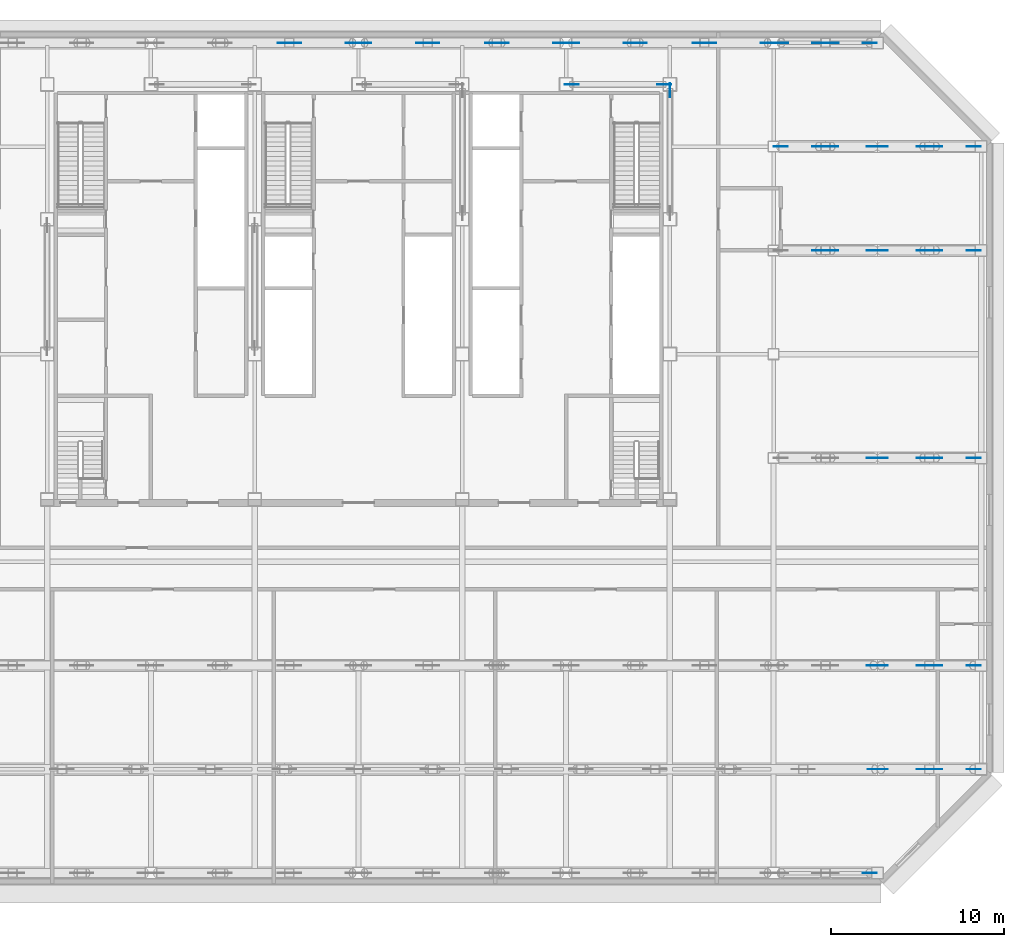
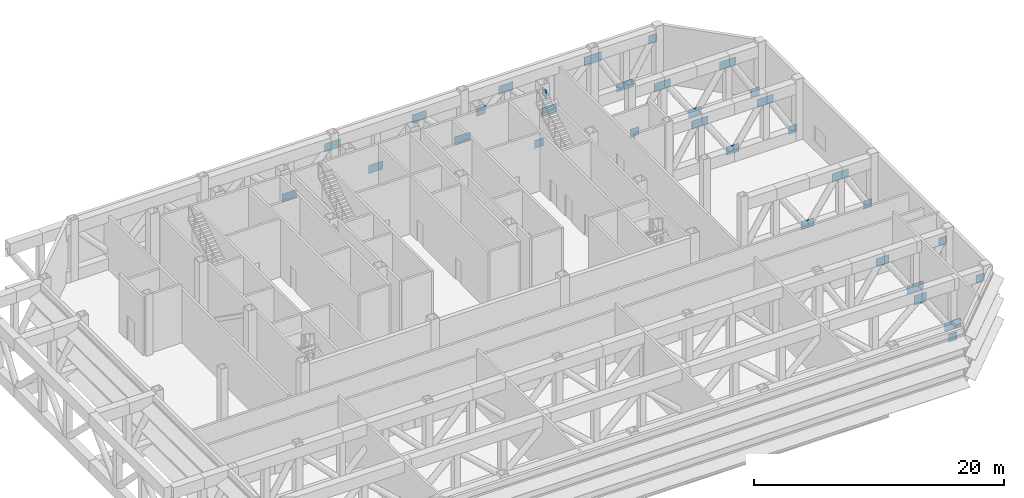
# One storey, part 14 of 17: 32 discrete accessories.
"""IFC4 building model written with IfcOpenShell, lengths in metres."""

from ifc_helpers import new_model, si_unit, direction, frame, origin, origin_2d, place, context, subcontext, project, spatial, rectangle, extrude, material, layer, layer_set, type_object, element, save


model = new_model("IFC4")

# Units and contexts
model_context = context("Model", 3, precision=1e-05, world=origin(), true_north=direction((0.0, 1.0)))
body_context = subcontext(model_context, "Body", "Model", "MODEL_VIEW")
ifc_project = project(units=[si_unit("LENGTHUNIT", "METRE"), si_unit("AREAUNIT", "SQUARE_METRE"), si_unit("VOLUMEUNIT", "CUBIC_METRE"), si_unit("PLANEANGLEUNIT", "RADIAN"), si_unit("MASSUNIT", "GRAM", prefix="KILO")], contexts=[model_context])

# Site, building, storey
site_placement = place(None, origin())
site = spatial("IfcSite", under=ifc_project, at=site_placement, CompositionType="ELEMENT")
building_placement = place(site_placement, origin())
building = spatial("IfcBuilding", under=site, at=building_placement, Name="Sorahane Residences", CompositionType="ELEMENT")
storey_placement = place(building_placement, frame((0.0, 0.0, 186.0)))
storey = spatial("IfcBuildingStorey", under=building, at=storey_placement, Name="L43", CompositionType="ELEMENT", Elevation=186.0)

# Discrete accessories
ifc_material_1 = material(Name="Steel Q355B", Category="steel")
ifc_layer_1 = layer(ifc_material_1, 0.02490234375)
ifc_layer_set_1 = layer_set([ifc_layer_1], Name="Node plate Steel Q355B 25")
discrete_accessory_type_1 = type_object("IfcDiscreteAccessoryType", Name="Node plate Steel Q355B 25", PredefinedType="BRACKET", material=ifc_layer_set_1)
for number, where, z_axis, x_axis, name in (
    (1, (42.0, 45.26025390625, 4.71728515625), (0.0, 0.0, 1.0), (0.0, 1.0, 0.0), "Node plate L43 br"),
    (2, (41.672119140625, 45.60009765625, -0.29296875), (0.0, 0.0, 1.0), (1.0, 0.0, 0.0), "Node plate L43 br"),
    (3, (36.327880859375, 45.60009765625, 4.74267578125), (0.0, 0.0, 1.0), (1.0, 0.0, 0.0), "Node plate L43 br"),
):
    element("IfcDiscreteAccessory", number, at=place(storey_placement, frame(where, z_axis=z_axis, x_axis=x_axis)), inside=storey, type_object=discrete_accessory_type_1, Name=name, PredefinedType="BRACKET", context=body_context, shape_type="SweptSolid", body=[
        extrude(rectangle(XDim=0.800048828125, YDim=0.02490234375, at=origin_2d()), origin(), (0.0, 0.0, 1.0), 0.800048828125),
    ])
ifc_material_2 = material(Name="Steel Q420GJ", Category="steel")
ifc_layer_2 = layer(ifc_material_2, 0.02490234375)
ifc_layer_set_2 = layer_set([ifc_layer_2], Name="Node plate Steel Q420GJ 25")
discrete_accessory_type_2 = type_object("IfcDiscreteAccessoryType", Name="Node plate Steel Q420GJ 25", PredefinedType="BRACKET", material=ifc_layer_set_2)
discrete_accessory_1_placement = place(storey_placement, frame((53.561767578125, 0.0, 4.27734375), z_axis=(0.0, 0.0, 1.0), x_axis=(1.0, 0.0, 0.0)))
element("IfcDiscreteAccessory", 4, at=discrete_accessory_1_placement, inside=storey, type_object=discrete_accessory_type_2, Name="Node plate L43 tr", PredefinedType="BRACKET", context=body_context, shape_type="SweptSolid", body=[
    extrude(rectangle(XDim=0.800048828125, YDim=0.02490234375, at=origin_2d()), origin(), (0.0, 0.0, 1.0), 0.800048828125),
])
discrete_accessory_2_placement = place(storey_placement, frame((57.015380859375, 6.0, 0.61865234375), z_axis=(0.0, 0.0, 1.0), x_axis=(1.0, 0.0, 0.0)))
element("IfcDiscreteAccessory", 5, at=discrete_accessory_2_placement, inside=storey, type_object=discrete_accessory_type_2, Name="Node plate L43 tr", PredefinedType="BRACKET", context=body_context, shape_type="SweptSolid", body=[
    extrude(rectangle(XDim=1.49560546875, YDim=0.02490234375, at=origin_2d()), origin(), (0.0, 0.0, 1.0), 0.80419921875),
])
discrete_accessory_3_placement = place(storey_placement, frame((54.02880859375, 6.0, 4.15966796875), z_axis=(0.0, 0.0, 1.0), x_axis=(1.0, 0.0, 0.0)))
element("IfcDiscreteAccessory", 6, at=discrete_accessory_3_placement, inside=storey, type_object=discrete_accessory_type_2, Name="Node plate L43 tr", PredefinedType="BRACKET", context=body_context, shape_type="SweptSolid", body=[
    extrude(rectangle(XDim=1.1572265625, YDim=0.02490234375, at=origin_2d()), origin(), (0.0, 0.0, 1.0), 0.921630859375),
])
discrete_accessory_4_placement = place(storey_placement, frame((59.561767578125, 6.0, 4.27734375), z_axis=(0.0, 0.0, 1.0), x_axis=(1.0, 0.0, 0.0)))
element("IfcDiscreteAccessory", 7, at=discrete_accessory_4_placement, inside=storey, type_object=discrete_accessory_type_2, Name="Node plate L43 tr", PredefinedType="BRACKET", context=body_context, shape_type="SweptSolid", body=[
    extrude(rectangle(XDim=0.800048828125, YDim=0.02490234375, at=origin_2d()), origin(), (0.0, 0.0, 1.0), 0.800048828125),
])
discrete_accessory_5_placement = place(storey_placement, frame((57.015380859375, 12.0, 0.61865234375), z_axis=(0.0, 0.0, 1.0), x_axis=(1.0, 0.0, 0.0)))
element("IfcDiscreteAccessory", 8, at=discrete_accessory_5_placement, inside=storey, type_object=discrete_accessory_type_2, Name="Node plate L43 tr", PredefinedType="BRACKET", context=body_context, shape_type="SweptSolid", body=[
    extrude(rectangle(XDim=1.49560546875, YDim=0.02490234375, at=origin_2d()), origin(), (0.0, 0.0, 1.0), 0.80419921875),
])
discrete_accessory_6_placement = place(storey_placement, frame((54.0, 12.0, 4.28125), z_axis=(0.0, 0.0, 1.0), x_axis=(1.0, 0.0, 0.0)))
element("IfcDiscreteAccessory", 9, at=discrete_accessory_6_placement, inside=storey, type_object=discrete_accessory_type_2, Name="Node plate L43 tr", PredefinedType="BRACKET", context=body_context, shape_type="SweptSolid", body=[
    extrude(rectangle(XDim=1.214599609375, YDim=0.02490234375, at=origin_2d()), origin(), (0.0, 0.0, 1.0), 0.800048828125),
])
discrete_accessory_7_placement = place(storey_placement, frame((59.561767578125, 12.0, 4.27734375), z_axis=(0.0, 0.0, 1.0), x_axis=(1.0, 0.0, 0.0)))
element("IfcDiscreteAccessory", 10, at=discrete_accessory_7_placement, inside=storey, type_object=discrete_accessory_type_2, Name="Node plate L43 tr", PredefinedType="BRACKET", context=body_context, shape_type="SweptSolid", body=[
    extrude(rectangle(XDim=0.800048828125, YDim=0.02490234375, at=origin_2d()), origin(), (0.0, 0.0, 1.0), 0.800048828125),
])
discrete_accessory_8_placement = place(storey_placement, frame((54.0, 24.0, 0.61865234375), z_axis=(0.0, 0.0, 1.0), x_axis=(1.0, 0.0, 0.0)))
element("IfcDiscreteAccessory", 11, at=discrete_accessory_8_placement, inside=storey, type_object=discrete_accessory_type_2, Name="Node plate L43 tr", PredefinedType="BRACKET", context=body_context, shape_type="SweptSolid", body=[
    extrude(rectangle(XDim=1.214599609375, YDim=0.02490234375, at=origin_2d()), origin(), (0.0, 0.0, 1.0), 0.800048828125),
])
discrete_accessory_9_placement = place(storey_placement, frame((59.561767578125, 24.0, 0.62255859375), z_axis=(0.0, 0.0, 1.0), x_axis=(1.0, 0.0, 0.0)))
element("IfcDiscreteAccessory", 12, at=discrete_accessory_9_placement, inside=storey, type_object=discrete_accessory_type_2, Name="Node plate L43 tr", PredefinedType="BRACKET", context=body_context, shape_type="SweptSolid", body=[
    extrude(rectangle(XDim=0.800048828125, YDim=0.02490234375, at=origin_2d()), origin(), (0.0, 0.0, 1.0), 0.800048828125),
])
discrete_accessory_10_placement = place(storey_placement, frame((57.015380859375, 24.0, 4.277099609375), z_axis=(0.0, 0.0, 1.0), x_axis=(1.0, 0.0, 0.0)))
element("IfcDiscreteAccessory", 13, at=discrete_accessory_10_placement, inside=storey, type_object=discrete_accessory_type_2, Name="Node plate L43 tr", PredefinedType="BRACKET", context=body_context, shape_type="SweptSolid", body=[
    extrude(rectangle(XDim=1.49560546875, YDim=0.02490234375, at=origin_2d()), origin(), (0.0, 0.0, 1.0), 0.80419921875),
])
discrete_accessory_11_placement = place(storey_placement, frame((54.0, 36.0, 0.61865234375), z_axis=(0.0, 0.0, 1.0), x_axis=(1.0, 0.0, 0.0)))
element("IfcDiscreteAccessory", 14, at=discrete_accessory_11_placement, inside=storey, type_object=discrete_accessory_type_2, Name="Node plate L43 tr", PredefinedType="BRACKET", context=body_context, shape_type="SweptSolid", body=[
    extrude(rectangle(XDim=1.214599609375, YDim=0.02490234375, at=origin_2d()), origin(), (0.0, 0.0, 1.0), 0.800048828125),
])
discrete_accessory_12_placement = place(storey_placement, frame((59.561767578125, 36.0, 0.62255859375), z_axis=(0.0, 0.0, 1.0), x_axis=(1.0, 0.0, 0.0)))
element("IfcDiscreteAccessory", 15, at=discrete_accessory_12_placement, inside=storey, type_object=discrete_accessory_type_2, Name="Node plate L43 tr", PredefinedType="BRACKET", context=body_context, shape_type="SweptSolid", body=[
    extrude(rectangle(XDim=0.800048828125, YDim=0.02490234375, at=origin_2d()), origin(), (0.0, 0.0, 1.0), 0.800048828125),
])
discrete_accessory_13_placement = place(storey_placement, frame((50.986328125, 36.0, 4.27783203125), z_axis=(0.0, 0.0, 1.0), x_axis=(1.0, 0.0, 0.0)))
element("IfcDiscreteAccessory", 16, at=discrete_accessory_13_placement, inside=storey, type_object=discrete_accessory_type_2, Name="Node plate L43 tr", PredefinedType="BRACKET", context=body_context, shape_type="SweptSolid", body=[
    extrude(rectangle(XDim=1.49169921875, YDim=0.02490234375, at=origin_2d()), origin(), (0.0, 0.0, 1.0), 0.8037109375),
])
discrete_accessory_14_placement = place(storey_placement, frame((57.015380859375, 36.0, 4.277099609375), z_axis=(0.0, 0.0, 1.0), x_axis=(1.0, 0.0, 0.0)))
element("IfcDiscreteAccessory", 17, at=discrete_accessory_14_placement, inside=storey, type_object=discrete_accessory_type_2, Name="Node plate L43 tr", PredefinedType="BRACKET", context=body_context, shape_type="SweptSolid", body=[
    extrude(rectangle(XDim=1.49560546875, YDim=0.02490234375, at=origin_2d()), origin(), (0.0, 0.0, 1.0), 0.80419921875),
])
discrete_accessory_15_placement = place(storey_placement, frame((48.409423828125, 42.0, 0.6220703125), z_axis=(0.0, 0.0, 1.0), x_axis=(1.0, 0.0, 0.0)))
element("IfcDiscreteAccessory", 18, at=discrete_accessory_15_placement, inside=storey, type_object=discrete_accessory_type_2, Name="Node plate L43 tr", PredefinedType="BRACKET", context=body_context, shape_type="SweptSolid", body=[
    extrude(rectangle(XDim=0.800048828125, YDim=0.02490234375, at=origin_2d()), origin(), (0.0, 0.0, 1.0), 0.800048828125),
])
discrete_accessory_16_placement = place(storey_placement, frame((54.0, 42.0, 0.61865234375), z_axis=(0.0, 0.0, 1.0), x_axis=(1.0, 0.0, 0.0)))
element("IfcDiscreteAccessory", 19, at=discrete_accessory_16_placement, inside=storey, type_object=discrete_accessory_type_2, Name="Node plate L43 tr", PredefinedType="BRACKET", context=body_context, shape_type="SweptSolid", body=[
    extrude(rectangle(XDim=1.214599609375, YDim=0.02490234375, at=origin_2d()), origin(), (0.0, 0.0, 1.0), 0.800048828125),
])
discrete_accessory_17_placement = place(storey_placement, frame((59.561767578125, 42.0, 0.62255859375), z_axis=(0.0, 0.0, 1.0), x_axis=(1.0, 0.0, 0.0)))
element("IfcDiscreteAccessory", 20, at=discrete_accessory_17_placement, inside=storey, type_object=discrete_accessory_type_2, Name="Node plate L43 tr", PredefinedType="BRACKET", context=body_context, shape_type="SweptSolid", body=[
    extrude(rectangle(XDim=0.800048828125, YDim=0.02490234375, at=origin_2d()), origin(), (0.0, 0.0, 1.0), 0.800048828125),
])
discrete_accessory_18_placement = place(storey_placement, frame((50.986328125, 42.0, 4.27783203125), z_axis=(0.0, 0.0, 1.0), x_axis=(1.0, 0.0, 0.0)))
element("IfcDiscreteAccessory", 21, at=discrete_accessory_18_placement, inside=storey, type_object=discrete_accessory_type_2, Name="Node plate L43 tr", PredefinedType="BRACKET", context=body_context, shape_type="SweptSolid", body=[
    extrude(rectangle(XDim=1.49169921875, YDim=0.02490234375, at=origin_2d()), origin(), (0.0, 0.0, 1.0), 0.8037109375),
])
discrete_accessory_19_placement = place(storey_placement, frame((57.015380859375, 42.0, 4.277099609375), z_axis=(0.0, 0.0, 1.0), x_axis=(1.0, 0.0, 0.0)))
element("IfcDiscreteAccessory", 22, at=discrete_accessory_19_placement, inside=storey, type_object=discrete_accessory_type_2, Name="Node plate L43 tr", PredefinedType="BRACKET", context=body_context, shape_type="SweptSolid", body=[
    extrude(rectangle(XDim=1.49560546875, YDim=0.02490234375, at=origin_2d()), origin(), (0.0, 0.0, 1.0), 0.80419921875),
])
for number, where, z_axis, x_axis, name in (
    (23, (20.0, 48.0, 0.68359375), (0.0, 0.0, 1.0), (1.0, 0.0, 0.0), "Node plate L43 tr"),
    (24, (28.0, 48.0, 0.68359375), (0.0, 0.0, 1.0), (1.0, 0.0, 0.0), "Node plate L43 tr"),
):
    element("IfcDiscreteAccessory", number, at=place(storey_placement, frame(where, z_axis=z_axis, x_axis=x_axis)), inside=storey, type_object=discrete_accessory_type_2, Name=name, PredefinedType="BRACKET", context=body_context, shape_type="SweptSolid", body=[
        extrude(rectangle(XDim=1.35009765625, YDim=0.02490234375, at=origin_2d()), origin(), (0.0, 0.0, 1.0), 0.81005859375),
    ])
discrete_accessory_20_placement = place(storey_placement, frame((36.0, 48.0, 0.68359375), z_axis=(0.0, 0.0, 1.0), x_axis=(1.0, 0.0, 0.0)))
element("IfcDiscreteAccessory", 25, at=discrete_accessory_20_placement, inside=storey, type_object=discrete_accessory_type_2, Name="Node plate L43 tr", PredefinedType="BRACKET", context=body_context, shape_type="SweptSolid", body=[
    extrude(rectangle(XDim=1.5, YDim=0.02490234375, at=origin_2d()), origin(), (0.0, 0.0, 1.0), 0.800048828125),
])
discrete_accessory_21_placement = place(storey_placement, frame((44.0, 48.0, 0.68359375), z_axis=(0.0, 0.0, 1.0), x_axis=(1.0, 0.0, 0.0)))
element("IfcDiscreteAccessory", 26, at=discrete_accessory_21_placement, inside=storey, type_object=discrete_accessory_type_2, Name="Node plate L43 tr", PredefinedType="BRACKET", context=body_context, shape_type="SweptSolid", body=[
    extrude(rectangle(XDim=1.35009765625, YDim=0.02490234375, at=origin_2d()), origin(), (0.0, 0.0, 1.0), 0.81005859375),
])
discrete_accessory_22_placement = place(storey_placement, frame((51.0, 48.0, 0.62255859375), z_axis=(0.0, 0.0, 1.0), x_axis=(1.0, 0.0, 0.0)))
element("IfcDiscreteAccessory", 27, at=discrete_accessory_22_placement, inside=storey, type_object=discrete_accessory_type_2, Name="Node plate L43 tr", PredefinedType="BRACKET", context=body_context, shape_type="SweptSolid", body=[
    extrude(rectangle(XDim=1.5263671875, YDim=0.02490234375, at=origin_2d()), origin(), (0.0, 0.0, 1.0), 0.800048828125),
])
discrete_accessory_23_placement = place(storey_placement, frame((24.0, 48.0, 4.21630859375), z_axis=(0.0, 0.0, 1.0), x_axis=(1.0, 0.0, 0.0)))
element("IfcDiscreteAccessory", 28, at=discrete_accessory_23_placement, inside=storey, type_object=discrete_accessory_type_2, Name="Node plate L43 tr", PredefinedType="BRACKET", context=body_context, shape_type="SweptSolid", body=[
    extrude(rectangle(XDim=1.5, YDim=0.02490234375, at=origin_2d()), origin(), (0.0, 0.0, 1.0), 0.800048828125),
])
for number, where, z_axis, x_axis, name in (
    (29, (32.0, 48.0, 4.206298828125), (0.0, 0.0, 1.0), (1.0, 0.0, 0.0), "Node plate L43 tr"),
    (30, (40.0, 48.0, 4.206298828125), (0.0, 0.0, 1.0), (1.0, 0.0, 0.0), "Node plate L43 tr"),
):
    element("IfcDiscreteAccessory", number, at=place(storey_placement, frame(where, z_axis=z_axis, x_axis=x_axis)), inside=storey, type_object=discrete_accessory_type_2, Name=name, PredefinedType="BRACKET", context=body_context, shape_type="SweptSolid", body=[
        extrude(rectangle(XDim=1.35009765625, YDim=0.02490234375, at=origin_2d()), origin(), (0.0, 0.0, 1.0), 0.81005859375),
    ])
discrete_accessory_24_placement = place(storey_placement, frame((48.044189453125, 48.0, 4.21630859375), z_axis=(0.0, 0.0, 1.0), x_axis=(1.0, 0.0, 0.0)))
element("IfcDiscreteAccessory", 31, at=discrete_accessory_24_placement, inside=storey, type_object=discrete_accessory_type_2, Name="Node plate L43 tr", PredefinedType="BRACKET", context=body_context, shape_type="SweptSolid", body=[
    extrude(rectangle(XDim=1.588134765625, YDim=0.02490234375, at=origin_2d()), origin(), (0.0, 0.0, 1.0), 0.86083984375),
])
discrete_accessory_25_placement = place(storey_placement, frame((53.561767578125, 48.0, 4.27734375), z_axis=(0.0, 0.0, 1.0), x_axis=(1.0, 0.0, 0.0)))
element("IfcDiscreteAccessory", 32, at=discrete_accessory_25_placement, inside=storey, type_object=discrete_accessory_type_2, Name="Node plate L43 tr", PredefinedType="BRACKET", context=body_context, shape_type="SweptSolid", body=[
    extrude(rectangle(XDim=0.800048828125, YDim=0.02490234375, at=origin_2d()), origin(), (0.0, 0.0, 1.0), 0.800048828125),
])

save(model, "model.ifc")
